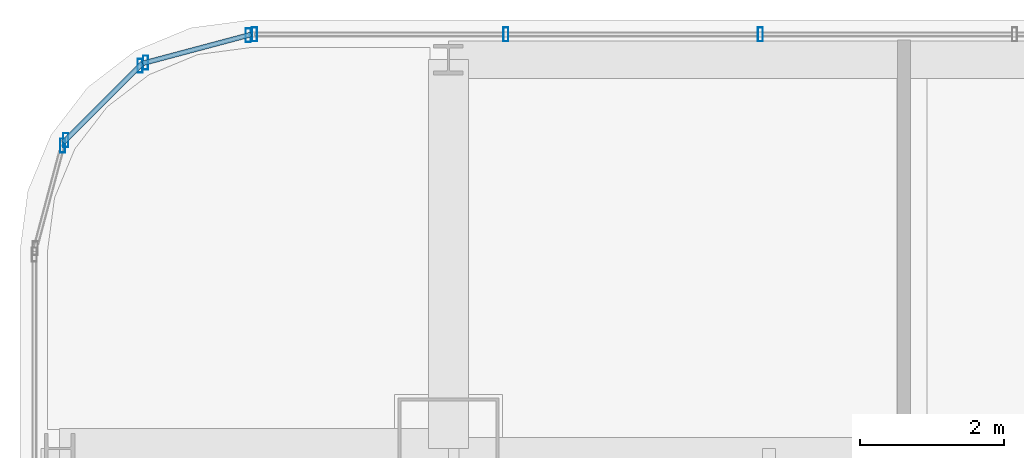
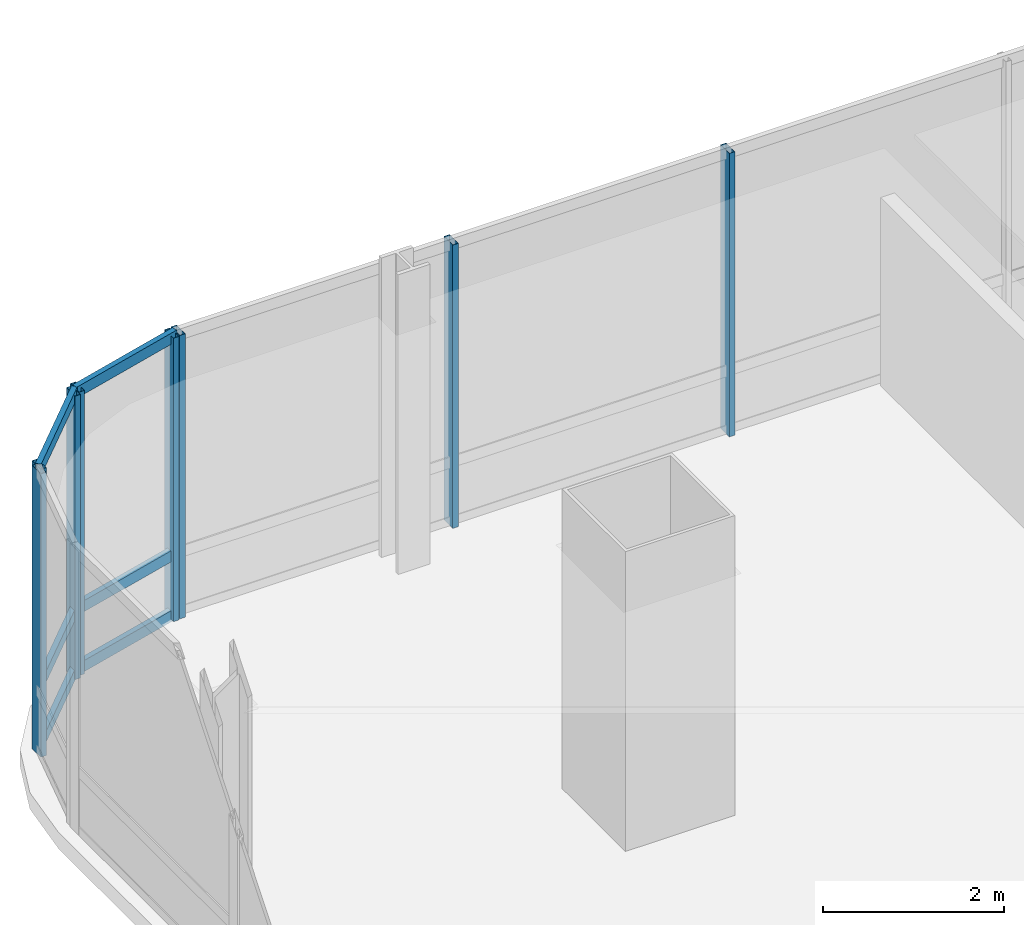
# One storey, part 21 of 37: 14 members, 4 elements without a shape of their own.
"""IFC4 building model written with IfcOpenShell, lengths in metres."""

from ifc_helpers import new_model, si_unit, direction, frame, origin, origin_2d, place, context, subcontext, project, spatial, hollow_rectangle, extrude, material, material_profile, profile_set, type_object, element, aggregate, save


model = new_model("IFC4")

# Units and contexts
model_context = context("Model", 3, precision=1e-05, world=origin(), true_north=direction((0.0, 1.0)))
body_context = subcontext(model_context, "Body", "Model", "MODEL_VIEW")
ifc_project = project(units=[si_unit("LENGTHUNIT", "METRE"), si_unit("AREAUNIT", "SQUARE_METRE"), si_unit("VOLUMEUNIT", "CUBIC_METRE"), si_unit("PLANEANGLEUNIT", "RADIAN"), si_unit("MASSUNIT", "GRAM", prefix="KILO")], contexts=[model_context])

# Site, building, storey
site_placement = place(None, origin())
site = spatial("IfcSite", under=ifc_project, at=site_placement, CompositionType="ELEMENT")
building_placement = place(site_placement, origin())
building = spatial("IfcBuilding", under=site, at=building_placement, Name="Punatoya Terracotta Tower", CompositionType="ELEMENT")
storey_placement = place(building_placement, frame((0.0, 0.0, 164.10009765625)))
storey = spatial("IfcBuildingStorey", under=building, at=storey_placement, Name="L38", CompositionType="ELEMENT", Elevation=164.10009765625)

# Curtain wall, members
ifc_material_1 = material(Name="Aluminium 6063-T6 + Double Low-E Glass", Category="aluminium")
curtain_wall_type = type_object("IfcCurtainWallType", Name="CW-M2", PredefinedType="NOTDEFINED", material=ifc_material_1)
curtain_wall_1_placement = place(storey_placement, origin())
curtain_wall_1 = element("IfcCurtainWall", 1, at=curtain_wall_1_placement, inside=storey, type_object=curtain_wall_type, Name="L38 Curtain Wall CW-L38-N09-1", PredefinedType="NOTDEFINED")
ifc_material_2 = material(Name="Aluminium 6063-T6", Category="aluminium")
ifc_material_profile_1 = material_profile(ifc_material_2, hollow_rectangle(XDim=0.072021484375, YDim=0.195068359375, WallThickness=0.00439453125, at=origin_2d()))
ifc_profile_set_1 = profile_set([ifc_material_profile_1], Name="Aluminium 6063-T6")
member_type_1 = type_object("IfcMemberType", Name="CW-MUL-M2", PredefinedType="MULLION", material=ifc_profile_set_1)
member_1_placement = place(storey_placement, frame((-14.768798828125, 23.25, 0.0), z_axis=(0.0, 0.0, 1.0), x_axis=(1.0, 0.0, 0.0)))
member_1 = element("IfcMember", 2, at=member_1_placement, type_object=member_type_1, Name="CW-L38-N09-1 Mullion 09", PredefinedType="MULLION", context=body_context, shape_type="SweptSolid", body=[
    extrude(hollow_rectangle(XDim=0.072021484375, YDim=0.195068359375, WallThickness=0.00439453125, at=origin_2d()), origin(), (0.0, 0.0, 1.0), 3.829833984375),
])
member_2_placement = place(storey_placement, frame((-18.302978515625, 23.25, 0.0), z_axis=(0.0, 0.0, 1.0), x_axis=(1.0, 0.0, 0.0)))
member_2 = element("IfcMember", 3, at=member_2_placement, type_object=member_type_1, Name="CW-L38-N09-1 Mullion 10", PredefinedType="MULLION", context=body_context, shape_type="SweptSolid", body=[
    extrude(hollow_rectangle(XDim=0.072021484375, YDim=0.195068359375, WallThickness=0.00439453125, at=origin_2d()), origin(), (0.0, 0.0, 1.0), 3.829833984375),
])
member_3_placement = place(storey_placement, frame((-21.7919921875, 23.25, 0.0), z_axis=(0.0, 0.0, 1.0), x_axis=(1.0, 0.0, 0.0)))
member_3 = element("IfcMember", 4, at=member_3_placement, type_object=member_type_1, Name="CW-L38-N09-1 Mullion 11", PredefinedType="MULLION", context=body_context, shape_type="SweptSolid", body=[
    extrude(hollow_rectangle(XDim=0.072021484375, YDim=0.195068359375, WallThickness=0.00439453125, at=origin_2d()), origin(), (0.0, 0.0, 1.0), 3.829833984375),
])
aggregate(curtain_wall_1, [member_1, member_2, member_3])

curtain_wall_2_placement = place(storey_placement, origin())
curtain_wall_2 = element("IfcCurtainWall", 5, at=curtain_wall_2_placement, inside=storey, type_object=curtain_wall_type, Name="L38 Curtain Wall CW-L38-CRN10", PredefinedType="NOTDEFINED")
member_4_placement = place(storey_placement, frame((-21.88037109375, 23.23828125, 0.0), z_axis=(0.0, 0.0, 1.0), x_axis=(1.0, 0.0, 0.0)))
member_4 = element("IfcMember", 6, at=member_4_placement, type_object=member_type_1, Name="CW-L38-CRN10 Mullion 00", PredefinedType="MULLION", context=body_context, shape_type="SweptSolid", body=[
    extrude(hollow_rectangle(XDim=0.072021484375, YDim=0.195068359375, WallThickness=0.00439453125, at=origin_2d()), origin(), (0.0, 0.0, 1.0), 3.829833984375),
])
member_5_placement = place(storey_placement, frame((-23.3056640625, 22.858154296875, 0.0), z_axis=(0.0, 0.0, 1.0), x_axis=(1.0, 0.0, 0.0)))
member_5 = element("IfcMember", 7, at=member_5_placement, type_object=member_type_1, Name="CW-L38-CRN10 Mullion 01", PredefinedType="MULLION", context=body_context, shape_type="SweptSolid", body=[
    extrude(hollow_rectangle(XDim=0.072021484375, YDim=0.195068359375, WallThickness=0.00439453125, at=origin_2d()), origin(), (0.0, 0.0, 1.0), 3.829833984375),
])

curtain_wall_3_placement = place(storey_placement, origin())
curtain_wall_3 = element("IfcCurtainWall", 8, at=curtain_wall_3_placement, inside=storey, type_object=curtain_wall_type, Name="L38 Curtain Wall CW-L38-CRN11", PredefinedType="NOTDEFINED")
member_6_placement = place(storey_placement, frame((-23.380859375, 22.814697265625, 0.0), z_axis=(0.0, 0.0, 1.0), x_axis=(1.0, 0.0, 0.0)))
member_6 = element("IfcMember", 9, at=member_6_placement, type_object=member_type_1, Name="CW-L38-CRN11 Mullion 00", PredefinedType="MULLION", context=body_context, shape_type="SweptSolid", body=[
    extrude(hollow_rectangle(XDim=0.072021484375, YDim=0.195068359375, WallThickness=0.00439453125, at=origin_2d()), origin(), (0.0, 0.0, 1.0), 3.829833984375),
])
member_7_placement = place(storey_placement, frame((-24.414794921875, 21.781005859375, 0.0), z_axis=(0.0, 0.0, 1.0), x_axis=(1.0, 0.0, 0.0)))
member_7 = element("IfcMember", 10, at=member_7_placement, type_object=member_type_1, Name="CW-L38-CRN11 Mullion 01", PredefinedType="MULLION", context=body_context, shape_type="SweptSolid", body=[
    extrude(hollow_rectangle(XDim=0.072021484375, YDim=0.195068359375, WallThickness=0.00439453125, at=origin_2d()), origin(), (0.0, 0.0, 1.0), 3.829833984375),
])

# Curtain wall, member
curtain_wall_4_placement = place(storey_placement, origin())
curtain_wall_4 = element("IfcCurtainWall", 11, at=curtain_wall_4_placement, inside=storey, type_object=curtain_wall_type, Name="L38 Curtain Wall CW-L38-CRN12", PredefinedType="NOTDEFINED")
member_8_placement = place(storey_placement, frame((-24.458251953125, 21.70556640625, 0.0), z_axis=(0.0, 0.0, 1.0), x_axis=(1.0, 0.0, 0.0)))
member_8 = element("IfcMember", 12, at=member_8_placement, type_object=member_type_1, Name="CW-L38-CRN12 Mullion 00", PredefinedType="MULLION", context=body_context, shape_type="SweptSolid", body=[
    extrude(hollow_rectangle(XDim=0.072021484375, YDim=0.195068359375, WallThickness=0.00439453125, at=origin_2d()), origin(), (0.0, 0.0, 1.0), 3.829833984375),
])
aggregate(curtain_wall_4, [member_8])

# Member
ifc_material_profile_2 = material_profile(ifc_material_2, hollow_rectangle(XDim=0.068115234375, YDim=0.14990234375, WallThickness=0.00390625, at=origin_2d()))
ifc_profile_set_2 = profile_set([ifc_material_profile_2], Name="Aluminium 6063-T6")
member_type_2 = type_object("IfcMemberType", Name="CW-TRN-TYP", PredefinedType="USERDEFINED", material=ifc_profile_set_2)
member_9_placement = place(storey_placement, frame((-21.8369140625, 23.25, 0.039794921875), z_axis=(-0.966224582397, -0.257701486942, 0.0), x_axis=(0.257701486942, -0.966224582397, 0.0)))
member_9 = element("IfcMember", 13, at=member_9_placement, type_object=member_type_2, Name="CW-L38-CRN10 Transom 1", ObjectType="TRANSOM", PredefinedType="USERDEFINED", context=body_context, shape_type="SweptSolid", body=[
    extrude(hollow_rectangle(XDim=0.068115234375, YDim=0.14990234375, WallThickness=0.00390625, at=origin_2d()), origin(), (0.0, 0.0, 1.0), 1.565185546875),
])

member_10_placement = place(storey_placement, frame((-21.8369140625, 23.25, 0.849853515625), z_axis=(-0.966224582397, -0.257701486942, 0.0), x_axis=(0.257701486942, -0.966224582397, 0.0)))
member_10 = element("IfcMember", 14, at=member_10_placement, type_object=member_type_2, Name="CW-L38-CRN10 Transom 2", ObjectType="TRANSOM", PredefinedType="USERDEFINED", context=body_context, shape_type="SweptSolid", body=[
    extrude(hollow_rectangle(XDim=0.068115234375, YDim=0.14990234375, WallThickness=0.00390625, at=origin_2d()), origin(), (0.0, 0.0, 1.0), 1.565185546875),
])

member_11_placement = place(storey_placement, frame((-21.8369140625, 23.25, 3.789794921875), z_axis=(-0.966224582397, -0.257701486942, 0.0), x_axis=(0.257701486942, -0.966224582397, 0.0)))
member_11 = element("IfcMember", 15, at=member_11_placement, type_object=member_type_2, Name="CW-L38-CRN10 Transom 3", ObjectType="TRANSOM", PredefinedType="USERDEFINED", context=body_context, shape_type="SweptSolid", body=[
    extrude(hollow_rectangle(XDim=0.068115234375, YDim=0.14990234375, WallThickness=0.00390625, at=origin_2d()), origin(), (0.0, 0.0, 1.0), 1.565185546875),
])

aggregate(curtain_wall_2, [member_4, member_5, member_9, member_10, member_11])

member_12_placement = place(storey_placement, frame((-23.34912109375, 22.8466796875, 0.039794921875), z_axis=(-0.707028130747, -0.707185422879, 0.0), x_axis=(0.707185422879, -0.707028130747, 0.0)))
member_12 = element("IfcMember", 16, at=member_12_placement, type_object=member_type_2, Name="CW-L38-CRN11 Transom 1", ObjectType="TRANSOM", PredefinedType="USERDEFINED", context=body_context, shape_type="SweptSolid", body=[
    extrude(hollow_rectangle(XDim=0.068115234375, YDim=0.14990234375, WallThickness=0.00390625, at=origin_2d()), origin(), (0.0, 0.0, 1.0), 1.55224609375),
])

member_13_placement = place(storey_placement, frame((-23.34912109375, 22.8466796875, 0.849853515625), z_axis=(-0.707028130747, -0.707185422879, 0.0), x_axis=(0.707185422879, -0.707028130747, 0.0)))
member_13 = element("IfcMember", 17, at=member_13_placement, type_object=member_type_2, Name="CW-L38-CRN11 Transom 2", ObjectType="TRANSOM", PredefinedType="USERDEFINED", context=body_context, shape_type="SweptSolid", body=[
    extrude(hollow_rectangle(XDim=0.068115234375, YDim=0.14990234375, WallThickness=0.00390625, at=origin_2d()), origin(), (0.0, 0.0, 1.0), 1.55224609375),
])

member_14_placement = place(storey_placement, frame((-23.34912109375, 22.8466796875, 3.789794921875), z_axis=(-0.707028130747, -0.707185422879, 0.0), x_axis=(0.707185422879, -0.707028130747, 0.0)))
member_14 = element("IfcMember", 18, at=member_14_placement, type_object=member_type_2, Name="CW-L38-CRN11 Transom 3", ObjectType="TRANSOM", PredefinedType="USERDEFINED", context=body_context, shape_type="SweptSolid", body=[
    extrude(hollow_rectangle(XDim=0.068115234375, YDim=0.14990234375, WallThickness=0.00390625, at=origin_2d()), origin(), (0.0, 0.0, 1.0), 1.55224609375),
])

aggregate(curtain_wall_3, [member_6, member_7, member_12, member_13, member_14])

save(model, "model.ifc")
